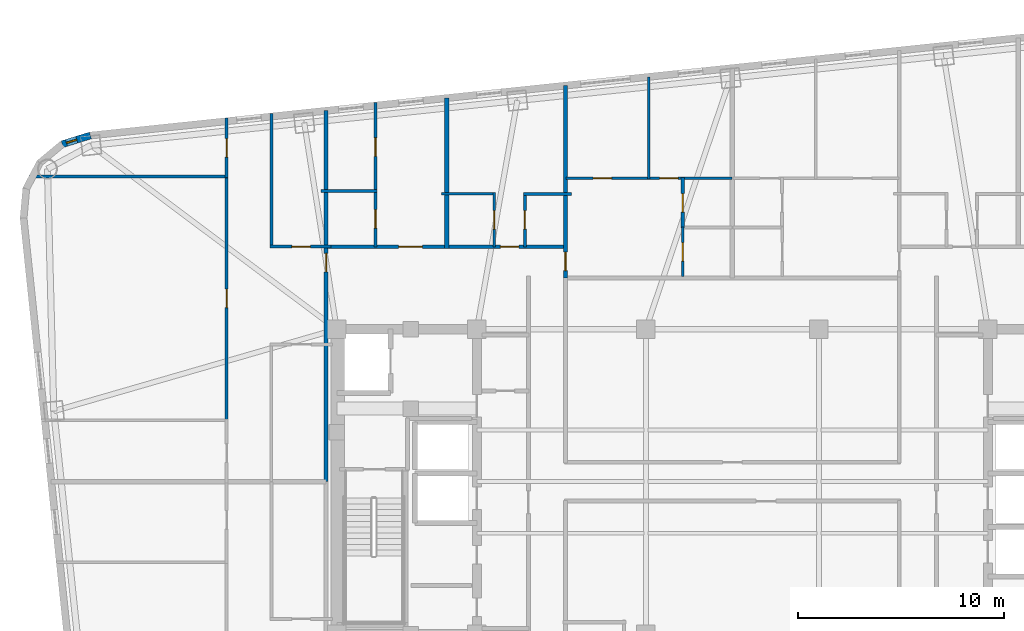
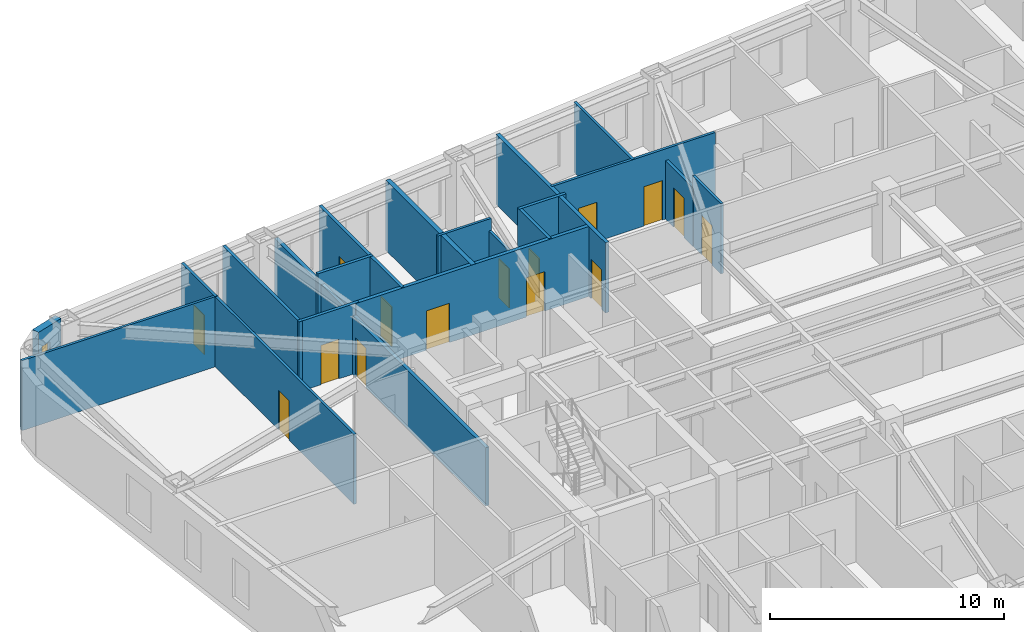
# One storey, part 8 of 12: 21 walls, 15 doors, 1 window, 16 openings.
"""IFC4 building model written with IfcOpenShell, lengths in metres."""

import ifcopenshell
import ifcopenshell.guid

model = None  # the IFC model being written
_history = None  # IfcOwnerHistory: only IFC2X3 demands one
_inside = {}  # id of a spatial element -> (the spatial element, [elements in it])
_under = {}  # id of a project, library or spatial element -> (it, [spatial elements below it])
_declared = {}  # id of a project -> (the project, [libraries it declares])
_typed = {}  # id of a type object -> (the type object, [elements of that type])
_made_of = {}  # id of a material, layer set ... -> (it, [elements and type objects made of it])


def new_model(schema):
    """Start an empty IFC model of exactly this schema.

    Asked for "IFC4X3", IfcOpenShell would pick the latest addendum, in which some entities
    have other attributes; the version numbers below select the first issue.
    IFC2X3 requires an IfcOwnerHistory on every rooted entity: one is made here for all.
    """
    global model, _history
    if schema == "IFC4X3":
        model = ifcopenshell.file(schema_version=(4, 3, 0, 0))
    else:
        model = ifcopenshell.file(schema=schema)
    _inside.clear()
    _under.clear()
    _declared.clear()
    _typed.clear()
    _made_of.clear()
    _history = None
    if model.schema == "IFC2X3":
        org = make("IfcOrganization", Name="unknown")
        user = make(
            "IfcPersonAndOrganization",
            ThePerson=make("IfcPerson", FamilyName="unknown"),
            TheOrganization=org,
        )
        app = make(
            "IfcApplication",
            ApplicationDeveloper=org,
            Version="unknown",
            ApplicationFullName="unknown",
            ApplicationIdentifier="unknown",
        )
        _history = make(
            "IfcOwnerHistory",
            OwningUser=user,
            OwningApplication=app,
            ChangeAction="ADDED",
            CreationDate=0,
        )
    return model


def make(cls, **values):
    """One entity of the class cls with the attributes given. An attribute that is None is left unset."""
    return model.create_entity(
        cls, **{name: value for name, value in values.items() if value is not None}
    )


def rooted(cls, **values):
    """An entity with a GlobalId (a new one), such as an element, a storey or a relation."""
    return make(cls, GlobalId=ifcopenshell.guid.new(), OwnerHistory=_history, **values)


def si_unit(unit_type, name, prefix=None):
    """IfcSIUnit, for example si_unit("LENGTHUNIT", "METRE", prefix="MILLI")."""
    return make("IfcSIUnit", UnitType=unit_type, Prefix=prefix, Name=name)


def assignment(units):
    """IfcUnitAssignment: the units of a project."""
    return None if units is None else make("IfcUnitAssignment", Units=units)


def point(xyz):
    """IfcCartesianPoint."""
    return None if xyz is None else make("IfcCartesianPoint", Coordinates=xyz)


def direction(xyz):
    """IfcDirection."""
    return None if xyz is None else make("IfcDirection", DirectionRatios=xyz)


def frame(location, z_axis=None, x_axis=None):
    """IfcAxis2Placement3D, a coordinate frame: its origin and axes. An axis left out is left unset."""
    return make(
        "IfcAxis2Placement3D",
        Location=point(location),
        Axis=direction(z_axis),
        RefDirection=direction(x_axis),
    )


def frame_2d(location, x_axis=None):
    """IfcAxis2Placement2D, a coordinate frame in the plane: its origin and x axis."""
    return make(
        "IfcAxis2Placement2D", Location=point(location), RefDirection=direction(x_axis)
    )


def origin():
    """The frame at (0, 0, 0) with its axes left unset."""
    return frame((0.0, 0.0, 0.0))


def place(relative_to, where):
    """IfcLocalPlacement: puts the frame where relative to a parent placement (None: the world)."""
    return make(
        "IfcLocalPlacement", PlacementRelTo=relative_to, RelativePlacement=where
    )


def context(
    kind, dimensions, precision=None, world=None, true_north=None, identifier=None
):
    """IfcGeometricRepresentationContext, for example the 3D "Model" context."""
    return make(
        "IfcGeometricRepresentationContext",
        ContextIdentifier=identifier,
        ContextType=kind,
        CoordinateSpaceDimension=dimensions,
        Precision=precision,
        WorldCoordinateSystem=world,
        TrueNorth=true_north,
    )


def subcontext(parent, identifier, kind, view, scale=None):
    """IfcGeometricRepresentationSubContext, for example "Body" below "Model"."""
    return make(
        "IfcGeometricRepresentationSubContext",
        ContextIdentifier=identifier,
        ContextType=kind,
        ParentContext=parent,
        TargetScale=scale,
        TargetView=view,
    )


def project(units=None, contexts=None):
    """IfcProject with its units and contexts."""
    return rooted(
        "IfcProject",
        Name="project",
        RepresentationContexts=contexts,
        UnitsInContext=assignment(units),
    )


def spatial(cls, under=None, at=None, **own):
    """A site, building, storey or space (cls), placed at a placement, below another one or the project."""
    s = rooted(cls, ObjectPlacement=at, **own)
    if under is not None:
        _under.setdefault(under.id(), (under, []))[1].append(s)
    return s


def profile(cls, at=None, kind="AREA", **sizes):
    """A parametric profile (cls). Its sizes go by their IFC names, for example OverallWidth=200.0."""
    return make(cls, ProfileType=kind, Position=at, **sizes)


def rectangle(**sizes):
    """IfcRectangleProfileDef."""
    return profile("IfcRectangleProfileDef", **sizes)


def extrude(swept, where, along, depth):
    """IfcExtrudedAreaSolid: the profile swept, set in the frame where, extruded along a direction by depth."""
    return make(
        "IfcExtrudedAreaSolid",
        SweptArea=swept,
        Position=where,
        ExtrudedDirection=direction(along),
        Depth=depth,
    )


def shape(context_of_items, identifier, shape_type, items):
    """IfcShapeRepresentation: the items that make up one representation, for example the "Body"."""
    return make(
        "IfcShapeRepresentation",
        ContextOfItems=context_of_items,
        RepresentationIdentifier=identifier,
        RepresentationType=shape_type,
        Items=items,
    )


def material(Name=None, Category=None):
    """IfcMaterial."""
    return make("IfcMaterial", Name=Name, Category=Category)


def layer(
    of_material, thickness, ventilated=None, Name=None, Category=None, Priority=None
):
    """IfcMaterialLayer: one layer of a wall or slab, of a material (None: an air gap)."""
    return make(
        "IfcMaterialLayer",
        Material=of_material,
        LayerThickness=thickness,
        IsVentilated=ventilated,
        Name=Name,
        Category=Category,
        Priority=Priority,
    )


def layer_set(layers, Name=None):
    """IfcMaterialLayerSet."""
    return make("IfcMaterialLayerSet", MaterialLayers=layers, LayerSetName=Name)


def made_of(thing, what):
    """Note that an element or type object is made of a material, layer set ...; save() writes the relation."""
    if what is not None:
        _made_of.setdefault(what.id(), (what, []))[1].append(thing)
    return thing


def type_object(cls, material=None, **own):
    """A type object (cls), such as IfcWallType, which elements share."""
    return made_of(rooted(cls, **own), material)


def element(
    cls,
    number,
    at=None,
    inside=None,
    cuts=None,
    type_object=None,
    material=None,
    context=None,
    identifier="Body",
    shape_type=None,
    held_by="IfcProductDefinitionShape",
    body=None,
    shapes=None,
    **own,
):
    """One element of the class cls, such as IfcWall. Its Tag is "e" and its number.

    at: its placement. inside: the storey or other place that contains it. cuts: it is an
    opening in that element (IfcRelVoidsElement). A single representation is given by context,
    identifier, shape_type and body (its items); several are given by shapes. held_by: the class
    of the entity that holds the representations. save() writes the other relations.
    """
    e = rooted(cls, Tag="e%d" % number, ObjectPlacement=at, **own)
    if body is not None:
        shapes = [shape(context, identifier, shape_type, body)]
    if shapes is not None:
        e.Representation = make(held_by, Representations=shapes)
    if inside is not None:
        _inside.setdefault(inside.id(), (inside, []))[1].append(e)
    if cuts is not None:
        rooted(
            "IfcRelVoidsElement", RelatingBuildingElement=cuts, RelatedOpeningElement=e
        )
    if type_object is not None:
        _typed.setdefault(type_object.id(), (type_object, []))[1].append(e)
    return made_of(e, material)


def fill(opening, filler):
    """IfcRelFillsElement: the door or window that sits in an opening."""
    return rooted(
        "IfcRelFillsElement",
        RelatingOpeningElement=opening,
        RelatedBuildingElement=filler,
    )


def aggregate(whole, parts):
    """IfcRelAggregates: a whole, such as a stair, and the parts it consists of."""
    return rooted("IfcRelAggregates", RelatingObject=whole, RelatedObjects=parts)


def save(model, path):
    """Write the relations noted so far, then the file.

    IfcRelAggregates (storeys below a building ...), IfcRelContainedInSpatialStructure (elements
    in a storey), IfcRelDefinesByType, IfcRelAssociatesMaterial and IfcRelDeclares: one each for
    every whole, place, type object, material and project.
    """
    for whole, parts in _under.values():
        aggregate(whole, parts)
    for where, things in _inside.values():
        rooted(
            "IfcRelContainedInSpatialStructure",
            RelatedElements=things,
            RelatingStructure=where,
        )
    for kind, things in _typed.values():
        rooted("IfcRelDefinesByType", RelatedObjects=things, RelatingType=kind)
    for what, things in _made_of.values():
        rooted("IfcRelAssociatesMaterial", RelatedObjects=things, RelatingMaterial=what)
    for by, libraries in _declared.values():
        rooted("IfcRelDeclares", RelatingContext=by, RelatedDefinitions=libraries)
    model.write(path)


model = new_model("IFC4")

# Units and contexts
model_context = context("Model", 3, precision=1e-05, world=origin(), true_north=direction((0.0, 1.0)))
body_context = subcontext(model_context, "Body", "Model", "MODEL_VIEW")
ifc_project = project(units=[si_unit("LENGTHUNIT", "METRE"), si_unit("AREAUNIT", "SQUARE_METRE"), si_unit("VOLUMEUNIT", "CUBIC_METRE"), si_unit("PLANEANGLEUNIT", "RADIAN"), si_unit("MASSUNIT", "GRAM", prefix="KILO")], contexts=[model_context])

# Site, building, storey
site_placement = place(None, origin())
site = spatial("IfcSite", under=ifc_project, at=site_placement, CompositionType="ELEMENT")
building_placement = place(site_placement, origin())
building = spatial("IfcBuilding", under=site, at=building_placement, Name="Voryun Gate Residences", CompositionType="ELEMENT")
storey_placement = place(building_placement, frame((0.0, 0.0, 152.10009765625)))
storey = spatial("IfcBuildingStorey", under=building, at=storey_placement, Name="L37", CompositionType="ELEMENT", Elevation=152.10009765625)

# Wall, openings, doors
ifc_material_1 = material(Name="Gypsum acoustic fireboard")
ifc_layer_1 = layer(ifc_material_1, 0.179931640625, Name="W_CORR_RATED_180")
ifc_layer_set_1 = layer_set([ifc_layer_1], Name="Gypsum acoustic fireboard")
wall_type_1 = type_object("IfcWallType", Name="W_CORR_RATED_180", PredefinedType="PARTITIONING", material=ifc_layer_set_1)
wall_1_placement = place(storey_placement, frame((-19.6650390625, 11.39990234375, 0.0), z_axis=(0.0, 0.0, 1.0), x_axis=(1.0, 0.0, 0.0)))
wall_1 = element("IfcWall", 1, at=wall_1_placement, inside=storey, type_object=wall_type_1, Name="Partition wall WP-L37-NCORR-W", PredefinedType="PARTITIONING", context=body_context, shape_type="SweptSolid", body=[
    extrude(rectangle(XDim=11.5849609375, YDim=0.179931640625, at=frame_2d((5.79248046875, 0.0))), origin(), (0.0, 0.0, 1.0), 3.64990234375),
])
opening_1_placement = place(wall_1_placement, frame((3.4677734375, 0.0, 0.0)))
opening_1 = element("IfcOpeningElement", 2, at=opening_1_placement, cuts=wall_1, Name="Opening D-UNIT-1", PredefinedType="OPENING", context=body_context, shape_type="SweptSolid", body=[
    extrude(rectangle(XDim=1.14990234375, YDim=2.050048828125, at=frame_2d((0.574951171875, 1.02490234375))), frame((0.0, 0.099853515625, 0.0), z_axis=(0.0, -1.0, 0.0), x_axis=(1.0, 0.0, 0.0)), (0.0, 0.0, 1.0), 0.199951171875),
])
opening_2_placement = place(wall_1_placement, frame((8.404296875, 0.0, 0.0)))
opening_2 = element("IfcOpeningElement", 3, at=opening_2_placement, cuts=wall_1, Name="Opening D-INT-2", PredefinedType="OPENING", context=body_context, shape_type="SweptSolid", body=[
    extrude(rectangle(XDim=0.89990234375, YDim=2.050048828125, at=frame_2d((0.449951171875, 1.02490234375))), frame((0.0, 0.099853515625, 0.0), z_axis=(0.0, -1.0, 0.0), x_axis=(1.0, 0.0, 0.0)), (0.0, 0.0, 1.0), 0.199951171875),
])
ifc_material_2 = material(Name="Architectural oak veneer")
door_type_1 = type_object("IfcDoorType", Name="DR_INT_BATH_900", OperationType="NOTDEFINED", PredefinedType="DOOR", material=ifc_material_2)
door_1_placement = place(opening_2_placement, origin())
door_1 = element("IfcDoor", 4, at=door_1_placement, inside=storey, type_object=door_type_1, Name="Door DR-L37-NENT-2", OperationType="SINGLE_SWING_RIGHT", OverallHeight=2.050048828125, OverallWidth=0.89990234375, PredefinedType="DOOR", context=body_context, shape_type="SweptSolid", body=[
    extrude(rectangle(XDim=0.89990234375, YDim=2.050048828125, at=frame_2d((0.449951171875, 1.02490234375))), frame((0.0, 0.02490234375, 0.0), z_axis=(0.0, -1.0, 0.0), x_axis=(1.0, 0.0, 0.0)), (0.0, 0.0, 1.0), 0.050048828125),
])
fill(opening_2, door_1)
ifc_material_3 = material(Name="Armoured timber-clad fire door", Category="wood")
door_type_2 = type_object("IfcDoorType", Name="DR_UNIT_ENTRY_1150", OperationType="NOTDEFINED", PredefinedType="DOOR", material=ifc_material_3)
door_2_placement = place(opening_1_placement, origin())
door_2 = element("IfcDoor", 5, at=door_2_placement, inside=storey, type_object=door_type_2, Name="Door DR-L37-NENT-1", OperationType="SINGLE_SWING_LEFT", OverallHeight=2.050048828125, OverallWidth=1.14990234375, PredefinedType="DOOR", context=body_context, shape_type="SweptSolid", body=[
    extrude(rectangle(XDim=1.14990234375, YDim=2.050048828125, at=frame_2d((0.574951171875, 1.02490234375))), frame((0.0, 0.02490234375, 0.0), z_axis=(0.0, -1.0, 0.0), x_axis=(1.0, 0.0, 0.0)), (0.0, 0.0, 1.0), 0.050048828125),
])
fill(opening_1, door_2)

# Wall, opening, door
wall_2_placement = place(storey_placement, frame((-8.10009765625, 9.889892578125, 0.0), z_axis=(0.0, 0.0, 1.0), x_axis=(0.0, 1.0, 0.0)))
wall_2 = element("IfcWall", 6, at=wall_2_placement, inside=storey, type_object=wall_type_1, Name="Partition wall WP-L37-NZV-1", PredefinedType="PARTITIONING", context=body_context, shape_type="SweptSolid", body=[
    extrude(rectangle(XDim=9.33642578125, YDim=0.179931640625, at=frame_2d((4.668212890625, 0.0))), origin(), (0.0, 0.0, 1.0), 3.64990234375),
])
opening_3_placement = place(wall_2_placement, frame((0.35009765625, 0.0, 0.0)))
opening_3 = element("IfcOpeningElement", 7, at=opening_3_placement, cuts=wall_2, Name="Opening D-INT-2", PredefinedType="OPENING", context=body_context, shape_type="SweptSolid", body=[
    extrude(rectangle(XDim=0.89990234375, YDim=2.050048828125, at=frame_2d((0.449951171875, 1.02490234375))), frame((0.0, 0.099853515625, 0.0), z_axis=(0.0, -1.0, 0.0), x_axis=(1.0, 0.0, 0.0)), (0.0, 0.0, 1.0), 0.199951171875),
])
door_3_placement = place(opening_3_placement, origin())
door_3 = element("IfcDoor", 8, at=door_3_placement, inside=storey, type_object=door_type_1, Name="Door DR-L37-NZENT-1", OperationType="SINGLE_SWING_LEFT", OverallHeight=2.050048828125, OverallWidth=0.89990234375, PredefinedType="DOOR", context=body_context, shape_type="SweptSolid", body=[
    extrude(rectangle(XDim=0.89990234375, YDim=2.050048828125, at=frame_2d((0.449951171875, 1.02490234375))), frame((0.0, 0.02490234375, 0.0), z_axis=(0.0, -1.0, 0.0), x_axis=(1.0, 0.0, 0.0)), (0.0, 0.0, 1.0), 0.050048828125),
])
fill(opening_3, door_3)

wall_3_placement = place(storey_placement, frame((-19.719970703125, 0.0, 0.0), z_axis=(0.0, 0.0, 1.0), x_axis=(0.0, 1.0, 0.0)))
wall_3 = element("IfcWall", 9, at=wall_3_placement, inside=storey, type_object=wall_type_1, Name="Partition wall WP-L37-WCOR2", PredefinedType="PARTITIONING", context=body_context, shape_type="SweptSolid", body=[
    extrude(rectangle(XDim=18.005126953125, YDim=0.179931640625, at=frame_2d((9.00244140625, 0.0))), origin(), (0.0, 0.0, 1.0), 3.039794921875),
])
opening_4_placement = place(wall_3_placement, frame((10.18017578125, 0.0, 0.0)))
opening_4 = element("IfcOpeningElement", 10, at=opening_4_placement, cuts=wall_3, Name="Opening D-INT-2", PredefinedType="OPENING", context=body_context, shape_type="SweptSolid", body=[
    extrude(rectangle(XDim=0.89990234375, YDim=2.050048828125, at=frame_2d((0.449951171875, 1.02490234375))), frame((0.0, 0.099853515625, 0.0), z_axis=(0.0, -1.0, 0.0), x_axis=(1.0, 0.0, 0.0)), (0.0, 0.0, 1.0), 0.199951171875),
])
door_4_placement = place(opening_4_placement, origin())
door_4 = element("IfcDoor", 11, at=door_4_placement, inside=storey, type_object=door_type_1, Name="Door DR-L37-WE2", OperationType="SINGLE_SWING_RIGHT", OverallHeight=2.050048828125, OverallWidth=0.89990234375, PredefinedType="DOOR", context=body_context, shape_type="SweptSolid", body=[
    extrude(rectangle(XDim=0.89990234375, YDim=2.050048828125, at=frame_2d((0.449951171875, 1.02490234375))), frame((0.0, 0.02490234375, 0.0), z_axis=(0.0, -1.0, 0.0), x_axis=(1.0, 0.0, 0.0)), (0.0, 0.0, 1.0), 0.050048828125),
])
fill(opening_4, door_4)

# Wall, opening, window
ifc_material_4 = material(Name="Charcoal terracotta masonry", Category="masonry")
ifc_layer_2 = layer(ifc_material_4, 0.340087890625, Name="W_EXT_TERRACOTTA_340")
ifc_layer_set_2 = layer_set([ifc_layer_2], Name="Charcoal terracotta masonry")
wall_type_2 = type_object("IfcWallType", Name="W_EXT_TERRACOTTA_340", PredefinedType="ELEMENTEDWALL", material=ifc_layer_set_2)
wall_4_placement = place(storey_placement, frame((-32.523193359375, 16.37841796875, 0.0), z_axis=(0.0, 0.0, 1.0), x_axis=(0.9549942197, 0.296624409546, 0.0)))
wall_4 = element("IfcWall", 12, at=wall_4_placement, inside=storey, type_object=wall_type_2, Name="Exterior wall WEXT-L37-10", PredefinedType="ELEMENTEDWALL", context=body_context, shape_type="SweptSolid", body=[
    extrude(rectangle(XDim=1.43212890625, YDim=0.340087890625, at=frame_2d((0.716064453125, 0.0))), origin(), (0.0, 0.0, 1.0), 3.64990234375),
])
opening_5_placement = place(wall_4_placement, frame((0.216064453125, 0.0, 0.75)))
opening_5 = element("IfcOpeningElement", 13, at=opening_5_placement, cuts=wall_4, Name="Opening WN10", PredefinedType="OPENING", context=body_context, shape_type="SweptSolid", body=[
    extrude(rectangle(XDim=0.52001953125, YDim=2.050048828125, at=frame_2d((0.260009765625, 1.02490234375))), frame((0.0, 0.179931640625, 0.0), z_axis=(0.0, -1.0, 0.0), x_axis=(1.0, 0.0, 0.0)), (0.0, 0.0, 1.0), 0.360107421875),
])
ifc_material_5 = material(Name="Laminated low-E glass", Category="glass")
window_type = type_object("IfcWindowType", Name="WN_PAGODA_LANCET_520", PartitioningType="SINGLE_PANEL", PredefinedType="WINDOW", material=ifc_material_5)
window_placement = place(opening_5_placement, origin())
window = element("IfcWindow", 14, at=window_placement, inside=storey, type_object=window_type, Name="Window WN-L37-DWFIX-24", OverallHeight=2.050048828125, OverallWidth=0.52001953125, PartitioningType="SINGLE_PANEL", PredefinedType="WINDOW", context=body_context, shape_type="SweptSolid", body=[
    extrude(rectangle(XDim=0.52001953125, YDim=2.050048828125, at=frame_2d((0.260009765625, 1.02490234375))), frame((0.0, 0.030029296875, 0.0), z_axis=(0.0, -1.0, 0.0), x_axis=(1.0, 0.0, 0.0)), (0.0, 0.0, 1.0), 0.06005859375),
])
fill(opening_5, window)

# Wall
ifc_material_6 = material(Name="Concrete C40/50", Category="concrete")
ifc_layer_3 = layer(ifc_material_6, 0.219970703125, Name="W_PARTY_ACOUSTIC_220")
ifc_layer_set_3 = layer_set([ifc_layer_3], Name="Concrete C40/50")
wall_type_3 = type_object("IfcWallType", Name="W_PARTY_ACOUSTIC_220", PredefinedType="PARTITIONING", material=ifc_layer_set_3)
wall_5_placement = place(storey_placement, frame((-13.864990234375, 11.320068359375, 0.0), z_axis=(0.0, 0.0, 1.0), x_axis=(0.0, 1.0, 0.0)))
element("IfcWall", 15, at=wall_5_placement, inside=storey, type_object=wall_type_3, Name="Partition wall WP-L37-NPTY-1", PredefinedType="PARTITIONING", context=body_context, shape_type="SweptSolid", body=[
    extrude(rectangle(XDim=7.300537109375, YDim=0.219970703125, at=frame_2d((3.650390625, 0.0))), origin(), (0.0, 0.0, 1.0), 3.64990234375),
])

# Wall, opening, door
ifc_material_7 = material(Name="Gypsum acoustic partition")
ifc_layer_4 = layer(ifc_material_7, 0.125, Name="W_UNIT_PART_125")
ifc_layer_set_4 = layer_set([ifc_layer_4], Name="Gypsum acoustic partition")
wall_type_4 = type_object("IfcWallType", Name="W_UNIT_PART_125", PredefinedType="PARTITIONING", material=ifc_layer_set_4)
wall_6_placement = place(storey_placement, frame((-11.554931640625, 11.3798828125, 0.0), z_axis=(0.0, 0.0, 1.0), x_axis=(0.0, 1.0, 0.0)))
wall_6 = element("IfcWall", 16, at=wall_6_placement, inside=storey, type_object=wall_type_4, Name="Partition wall WP-L37-N2-CVK", PredefinedType="PARTITIONING", context=body_context, shape_type="SweptSolid", body=[
    extrude(rectangle(XDim=2.650146484375, YDim=0.125, at=frame_2d((1.3251953125, 0.0))), origin(), (0.0, 0.0, 1.0), 3.039794921875),
])
opening_6_placement = place(wall_6_placement, frame((0.875, 0.0, 0.0)))
opening_6 = element("IfcOpeningElement", 17, at=opening_6_placement, cuts=wall_6, Name="Opening D-INT-2", PredefinedType="OPENING", context=body_context, shape_type="SweptSolid", body=[
    extrude(rectangle(XDim=0.89990234375, YDim=2.050048828125, at=frame_2d((0.449951171875, 1.02490234375))), frame((0.0, 0.072509765625, 0.0), z_axis=(0.0, -1.0, 0.0), x_axis=(1.0, 0.0, 0.0)), (0.0, 0.0, 1.0), 0.14501953125),
])
door_5_placement = place(opening_6_placement, origin())
door_5 = element("IfcDoor", 18, at=door_5_placement, inside=storey, type_object=door_type_1, Name="Door DR-L37-N2-DK", OperationType="SINGLE_SWING_LEFT", OverallHeight=2.050048828125, OverallWidth=0.89990234375, PredefinedType="DOOR", context=body_context, shape_type="SweptSolid", body=[
    extrude(rectangle(XDim=0.89990234375, YDim=2.050048828125, at=frame_2d((0.449951171875, 1.02490234375))), frame((0.0, 0.02490234375, 0.0), z_axis=(0.0, -1.0, 0.0), x_axis=(1.0, 0.0, 0.0)), (0.0, 0.0, 1.0), 0.050048828125),
])
fill(opening_6, door_5)

# Wall
wall_7_placement = place(storey_placement, frame((-14.125, 13.969970703125, 0.0), z_axis=(0.0, 0.0, 1.0), x_axis=(1.0, 0.0, 0.0)))
element("IfcWall", 19, at=wall_7_placement, inside=storey, type_object=wall_type_4, Name="Partition wall WP-L37-N2-CHK", PredefinedType="PARTITIONING", context=body_context, shape_type="SweptSolid", body=[
    extrude(rectangle(XDim=2.6298828125, YDim=0.125, at=frame_2d((1.31494140625, 0.0))), origin(), (0.0, 0.0, 1.0), 3.64990234375),
])

# Wall, openings, doors
wall_8_placement = place(storey_placement, frame((-8.080078125, 14.72998046875, 0.0), z_axis=(0.0, 0.0, 1.0), x_axis=(1.0, 0.0, 0.0)))
wall_8 = element("IfcWall", 20, at=wall_8_placement, inside=storey, type_object=wall_type_4, Name="Partition wall WP-L37-NC1-HZ", PredefinedType="PARTITIONING", context=body_context, shape_type="SweptSolid", body=[
    extrude(rectangle(XDim=8.06005859375, YDim=0.125, at=frame_2d((4.030029296875, 0.0))), origin(), (0.0, 0.0, 1.0), 3.64990234375),
])
opening_7_placement = place(wall_8_placement, frame((1.3232421875, 0.0, 0.0)))
opening_7 = element("IfcOpeningElement", 21, at=opening_7_placement, cuts=wall_8, Name="Opening D-INT-2", PredefinedType="OPENING", context=body_context, shape_type="SweptSolid", body=[
    extrude(rectangle(XDim=0.89990234375, YDim=2.050048828125, at=frame_2d((0.449951171875, 1.02490234375))), frame((0.0, 0.072509765625, 0.0), z_axis=(0.0, -1.0, 0.0), x_axis=(1.0, 0.0, 0.0)), (0.0, 0.0, 1.0), 0.14501953125),
])
opening_8_placement = place(wall_8_placement, frame((4.547119140625, 0.0, 0.0)))
opening_8 = element("IfcOpeningElement", 22, at=opening_8_placement, cuts=wall_8, Name="Opening D-INT-2", PredefinedType="OPENING", context=body_context, shape_type="SweptSolid", body=[
    extrude(rectangle(XDim=0.89990234375, YDim=2.050048828125, at=frame_2d((0.449951171875, 1.02490234375))), frame((0.0, 0.072509765625, 0.0), z_axis=(0.0, -1.0, 0.0), x_axis=(1.0, 0.0, 0.0)), (0.0, 0.0, 1.0), 0.14501953125),
])
door_6_placement = place(opening_7_placement, origin())
door_6 = element("IfcDoor", 23, at=door_6_placement, inside=storey, type_object=door_type_1, Name="Door DR-L37-NC1-DMB", OperationType="SINGLE_SWING_LEFT", OverallHeight=2.050048828125, OverallWidth=0.89990234375, PredefinedType="DOOR", context=body_context, shape_type="SweptSolid", body=[
    extrude(rectangle(XDim=0.89990234375, YDim=2.050048828125, at=frame_2d((0.449951171875, 1.02490234375))), frame((0.0, 0.02490234375, 0.0), z_axis=(0.0, -1.0, 0.0), x_axis=(1.0, 0.0, 0.0)), (0.0, 0.0, 1.0), 0.050048828125),
])
fill(opening_7, door_6)
door_7_placement = place(opening_8_placement, origin())
door_7 = element("IfcDoor", 24, at=door_7_placement, inside=storey, type_object=door_type_1, Name="Door DR-L37-NC1-DBD2", OperationType="SINGLE_SWING_RIGHT", OverallHeight=2.050048828125, OverallWidth=0.89990234375, PredefinedType="DOOR", context=body_context, shape_type="SweptSolid", body=[
    extrude(rectangle(XDim=0.89990234375, YDim=2.050048828125, at=frame_2d((0.449951171875, 1.02490234375))), frame((0.0, 0.02490234375, 0.0), z_axis=(0.0, -1.0, 0.0), x_axis=(1.0, 0.0, 0.0)), (0.0, 0.0, 1.0), 0.050048828125),
])
fill(opening_8, door_7)

# Wall, opening, door
wall_9_placement = place(storey_placement, frame((-2.409912109375, 9.949951171875, 0.0), z_axis=(0.0, 0.0, 1.0), x_axis=(0.0, 1.0, 0.0)))
wall_9 = element("IfcWall", 25, at=wall_9_placement, inside=storey, type_object=wall_type_4, Name="Partition wall WP-L37-NC1-VK1", PredefinedType="PARTITIONING", context=body_context, shape_type="SweptSolid", body=[
    extrude(rectangle(XDim=2.41015625, YDim=0.125, at=frame_2d((1.205078125, 0.0))), origin(), (0.0, 0.0, 1.0), 3.64990234375),
])
opening_9_placement = place(wall_9_placement, frame((0.7548828125, 0.0, 0.0)))
opening_9 = element("IfcOpeningElement", 26, at=opening_9_placement, cuts=wall_9, Name="Opening D-INT-2", PredefinedType="OPENING", context=body_context, shape_type="SweptSolid", body=[
    extrude(rectangle(XDim=0.89990234375, YDim=2.050048828125, at=frame_2d((0.449951171875, 1.02490234375))), frame((0.0, 0.072509765625, 0.0), z_axis=(0.0, -1.0, 0.0), x_axis=(1.0, 0.0, 0.0)), (0.0, 0.0, 1.0), 0.14501953125),
])
door_8_placement = place(opening_9_placement, origin())
door_8 = element("IfcDoor", 27, at=door_8_placement, inside=storey, type_object=door_type_1, Name="Door DR-L37-NC1-DK", OperationType="SINGLE_SWING_LEFT", OverallHeight=2.050048828125, OverallWidth=0.89990234375, PredefinedType="DOOR", context=body_context, shape_type="SweptSolid", body=[
    extrude(rectangle(XDim=0.89990234375, YDim=2.050048828125, at=frame_2d((0.449951171875, 1.02490234375))), frame((0.0, 0.02490234375, 0.0), z_axis=(0.0, -1.0, 0.0), x_axis=(1.0, 0.0, 0.0)), (0.0, 0.0, 1.0), 0.050048828125),
])
fill(opening_9, door_8)

# Walls
wall_10_placement = place(storey_placement, frame((-4.050048828125, 14.68994140625, 0.0), z_axis=(0.0, 0.0, 1.0), x_axis=(0.0, 1.0, 0.0)))
element("IfcWall", 28, at=wall_10_placement, inside=storey, type_object=wall_type_4, Name="Partition wall WP-L37-NC1-VBD", PredefinedType="PARTITIONING", context=body_context, shape_type="SweptSolid", body=[
    extrude(rectangle(XDim=4.962158203125, YDim=0.125, at=frame_2d((2.48095703125, 0.0))), origin(), (0.0, 0.0, 1.0), 3.64990234375),
])
wall_11_placement = place(storey_placement, frame((-34.12890625, 14.81201171875, 0.0), z_axis=(0.0, 0.0, 1.0), x_axis=(1.0, 0.0, 0.0)))
element("IfcWall", 29, at=wall_11_placement, inside=storey, type_object=wall_type_4, Name="Partition wall WP-L37-W2-OH2", PredefinedType="PARTITIONING", context=body_context, shape_type="SweptSolid", body=[
    extrude(rectangle(XDim=9.658935546875, YDim=0.125, at=frame_2d((4.82958984375, 0.0))), origin(), (0.0, 0.0, 1.0), 3.64990234375),
])

# Wall, opening, door
wall_12_placement = place(storey_placement, frame((-24.550048828125, 2.925048828125, 0.0), z_axis=(0.0, 0.0, 1.0), x_axis=(0.0, 1.0, 0.0)))
wall_12 = element("IfcWall", 30, at=wall_12_placement, inside=storey, type_object=wall_type_4, Name="Partition wall WP-L37-W2-OVX2", PredefinedType="PARTITIONING", context=body_context, shape_type="SweptSolid", body=[
    extrude(rectangle(XDim=11.93701171875, YDim=0.125, at=frame_2d((5.968505859375, 0.0))), origin(), (0.0, 0.0, 1.0), 3.64990234375),
])
opening_10_placement = place(wall_12_placement, frame((5.5185546875, 0.0, 0.0)))
opening_10 = element("IfcOpeningElement", 31, at=opening_10_placement, cuts=wall_12, Name="Opening D-INT-2", PredefinedType="OPENING", context=body_context, shape_type="SweptSolid", body=[
    extrude(rectangle(XDim=0.89990234375, YDim=2.050048828125, at=frame_2d((0.449951171875, 1.02490234375))), frame((0.0, 0.072509765625, 0.0), z_axis=(0.0, -1.0, 0.0), x_axis=(1.0, 0.0, 0.0)), (0.0, 0.0, 1.0), 0.14501953125),
])
door_9_placement = place(opening_10_placement, origin())
door_9 = element("IfcDoor", 32, at=door_9_placement, inside=storey, type_object=door_type_1, Name="Door DR-L37-W2-DSTD", OperationType="SINGLE_SWING_RIGHT", OverallHeight=2.050048828125, OverallWidth=0.89990234375, PredefinedType="DOOR", context=body_context, shape_type="SweptSolid", body=[
    extrude(rectangle(XDim=0.89990234375, YDim=2.050048828125, at=frame_2d((0.449951171875, 1.02490234375))), frame((0.0, 0.02490234375, 0.0), z_axis=(0.0, -1.0, 0.0), x_axis=(1.0, 0.0, 0.0)), (0.0, 0.0, 1.0), 0.050048828125),
])
fill(opening_10, door_9)

wall_13_placement = place(storey_placement, frame((-24.550048828125, 14.761962890625, 0.0), z_axis=(0.0, 0.0, 1.0), x_axis=(0.0, 1.0, 0.0)))
wall_13 = element("IfcWall", 33, at=wall_13_placement, inside=storey, type_object=wall_type_4, Name="Partition wall WP-L37-W2-OVX3", PredefinedType="PARTITIONING", context=body_context, shape_type="SweptSolid", body=[
    extrude(rectangle(XDim=2.88623046875, YDim=0.125, at=frame_2d((1.443115234375, 0.0))), origin(), (0.0, 0.0, 1.0), 3.64990234375),
])
opening_11_placement = place(wall_13_placement, frame((0.9931640625, 0.0, 0.0)))
opening_11 = element("IfcOpeningElement", 34, at=opening_11_placement, cuts=wall_13, Name="Opening D-INT-2", PredefinedType="OPENING", context=body_context, shape_type="SweptSolid", body=[
    extrude(rectangle(XDim=0.89990234375, YDim=2.050048828125, at=frame_2d((0.449951171875, 1.02490234375))), frame((0.0, 0.072509765625, 0.0), z_axis=(0.0, -1.0, 0.0), x_axis=(1.0, 0.0, 0.0)), (0.0, 0.0, 1.0), 0.14501953125),
])
door_10_placement = place(opening_11_placement, origin())
door_10 = element("IfcDoor", 35, at=door_10_placement, inside=storey, type_object=door_type_1, Name="Door DR-L37-W2-DMB", OperationType="SINGLE_SWING_LEFT", OverallHeight=2.050048828125, OverallWidth=0.89990234375, PredefinedType="DOOR", context=body_context, shape_type="SweptSolid", body=[
    extrude(rectangle(XDim=0.89990234375, YDim=2.050048828125, at=frame_2d((0.449951171875, 1.02490234375))), frame((0.0, 0.02490234375, 0.0), z_axis=(0.0, -1.0, 0.0), x_axis=(1.0, 0.0, 0.0)), (0.0, 0.0, 1.0), 0.050048828125),
])
fill(opening_11, door_10)

# Wall
ifc_material_8 = material(Name="Gypsum moisture-resistant partition")
ifc_layer_5 = layer(ifc_material_8, 0.14990234375, Name="W_WET_PLUMB_150")
ifc_layer_set_5 = layer_set([ifc_layer_5], Name="Gypsum moisture-resistant partition")
wall_type_5 = type_object("IfcWallType", Name="W_WET_PLUMB_150", PredefinedType="PLUMBINGWALL", material=ifc_layer_set_5)
wall_14_placement = place(storey_placement, frame((-19.969970703125, 14.10009765625, 0.0), z_axis=(0.0, 0.0, 1.0), x_axis=(1.0, 0.0, 0.0)))
element("IfcWall", 36, at=wall_14_placement, inside=storey, type_object=wall_type_5, Name="Partition wall WP-L37-N1-SKB", PredefinedType="PLUMBINGWALL", context=body_context, shape_type="SweptSolid", body=[
    extrude(rectangle(XDim=2.72998046875, YDim=0.14990234375, at=frame_2d((1.364990234375, 0.0))), origin(), (0.0, 0.0, 1.0), 3.64990234375),
])

# Wall, opening, door
wall_15_placement = place(storey_placement, frame((-17.320068359375, 11.3798828125, 0.0), z_axis=(0.0, 0.0, 1.0), x_axis=(0.0, 1.0, 0.0)))
wall_15 = element("IfcWall", 37, at=wall_15_placement, inside=storey, type_object=wall_type_5, Name="Partition wall WP-L37-N1-SVT1", PredefinedType="PLUMBINGWALL", context=body_context, shape_type="SweptSolid", body=[
    extrude(rectangle(XDim=2.760009765625, YDim=0.14990234375, at=frame_2d((1.3798828125, 0.0))), origin(), (0.0, 0.0, 1.0), 3.64990234375),
])
opening_12_placement = place(wall_15_placement, frame((0.929931640625, 0.0, 0.0)))
opening_12 = element("IfcOpeningElement", 38, at=opening_12_placement, cuts=wall_15, Name="Opening D-INT-2", PredefinedType="OPENING", context=body_context, shape_type="SweptSolid", body=[
    extrude(rectangle(XDim=0.89990234375, YDim=2.050048828125, at=frame_2d((0.449951171875, 1.02490234375))), frame((0.0, 0.0849609375, 0.0), z_axis=(0.0, -1.0, 0.0), x_axis=(1.0, 0.0, 0.0)), (0.0, 0.0, 1.0), 0.169921875),
])
door_11_placement = place(opening_12_placement, origin())
door_11 = element("IfcDoor", 39, at=door_11_placement, inside=storey, type_object=door_type_1, Name="Door DR-L37-N1-DB", OperationType="SINGLE_SWING_LEFT", OverallHeight=2.050048828125, OverallWidth=0.89990234375, PredefinedType="DOOR", context=body_context, shape_type="SweptSolid", body=[
    extrude(rectangle(XDim=0.89990234375, YDim=2.050048828125, at=frame_2d((0.449951171875, 1.02490234375))), frame((0.0, 0.02490234375, 0.0), z_axis=(0.0, -1.0, 0.0), x_axis=(1.0, 0.0, 0.0)), (0.0, 0.0, 1.0), 0.050048828125),
])
fill(opening_12, door_11)

wall_16_placement = place(storey_placement, frame((-17.320068359375, 14.06005859375, 0.0), z_axis=(0.0, 0.0, 1.0), x_axis=(0.0, 1.0, 0.0)))
wall_16 = element("IfcWall", 40, at=wall_16_placement, inside=storey, type_object=wall_type_5, Name="Partition wall WP-L37-N1-SVT2", PredefinedType="PLUMBINGWALL", context=body_context, shape_type="SweptSolid", body=[
    extrude(rectangle(XDim=4.34814453125, YDim=0.14990234375, at=frame_2d((2.174072265625, 0.0))), origin(), (0.0, 0.0, 1.0), 3.64990234375),
])
opening_13_placement = place(wall_16_placement, frame((1.72412109375, 0.0, 0.0)))
opening_13 = element("IfcOpeningElement", 41, at=opening_13_placement, cuts=wall_16, Name="Opening D-INT-2", PredefinedType="OPENING", context=body_context, shape_type="SweptSolid", body=[
    extrude(rectangle(XDim=0.89990234375, YDim=2.050048828125, at=frame_2d((0.449951171875, 1.02490234375))), frame((0.0, 0.0849609375, 0.0), z_axis=(0.0, -1.0, 0.0), x_axis=(1.0, 0.0, 0.0)), (0.0, 0.0, 1.0), 0.169921875),
])
door_12_placement = place(opening_13_placement, origin())
door_12 = element("IfcDoor", 42, at=door_12_placement, inside=storey, type_object=door_type_1, Name="Door DR-L37-N1-DK", OperationType="SINGLE_SWING_RIGHT", OverallHeight=2.050048828125, OverallWidth=0.89990234375, PredefinedType="DOOR", context=body_context, shape_type="SweptSolid", body=[
    extrude(rectangle(XDim=0.89990234375, YDim=2.050048828125, at=frame_2d((0.449951171875, 1.02490234375))), frame((0.0, 0.02490234375, 0.0), z_axis=(0.0, -1.0, 0.0), x_axis=(1.0, 0.0, 0.0)), (0.0, 0.0, 1.0), 0.050048828125),
])
fill(opening_13, door_12)

wall_17_placement = place(storey_placement, frame((-10.06591796875, 11.3798828125, 0.0), z_axis=(0.0, 0.0, 1.0), x_axis=(0.0, 1.0, 0.0)))
wall_17 = element("IfcWall", 43, at=wall_17_placement, inside=storey, type_object=wall_type_5, Name="Partition wall WP-L37-N2-CVB", PredefinedType="PLUMBINGWALL", context=body_context, shape_type="SweptSolid", body=[
    extrude(rectangle(XDim=2.650146484375, YDim=0.14990234375, at=frame_2d((1.3251953125, 0.0))), origin(), (0.0, 0.0, 1.0), 3.64990234375),
])
opening_14_placement = place(wall_17_placement, frame((0.875, 0.0, 0.0)))
opening_14 = element("IfcOpeningElement", 44, at=opening_14_placement, cuts=wall_17, Name="Opening D-INT-2", PredefinedType="OPENING", context=body_context, shape_type="SweptSolid", body=[
    extrude(rectangle(XDim=0.89990234375, YDim=2.050048828125, at=frame_2d((0.449951171875, 1.02490234375))), frame((0.0, 0.0849609375, 0.0), z_axis=(0.0, -1.0, 0.0), x_axis=(1.0, 0.0, 0.0)), (0.0, 0.0, 1.0), 0.169921875),
])
door_13_placement = place(opening_14_placement, origin())
door_13 = element("IfcDoor", 45, at=door_13_placement, inside=storey, type_object=door_type_1, Name="Door DR-L37-N2-DB", OperationType="SINGLE_SWING_RIGHT", OverallHeight=2.050048828125, OverallWidth=0.89990234375, PredefinedType="DOOR", context=body_context, shape_type="SweptSolid", body=[
    extrude(rectangle(XDim=0.89990234375, YDim=2.050048828125, at=frame_2d((0.449951171875, 1.02490234375))), frame((0.0, 0.02490234375, 0.0), z_axis=(0.0, -1.0, 0.0), x_axis=(1.0, 0.0, 0.0)), (0.0, 0.0, 1.0), 0.050048828125),
])
fill(opening_14, door_13)

# Wall
wall_18_placement = place(storey_placement, frame((-10.1259765625, 13.969970703125, 0.0), z_axis=(0.0, 0.0, 1.0), x_axis=(1.0, 0.0, 0.0)))
element("IfcWall", 46, at=wall_18_placement, inside=storey, type_object=wall_type_5, Name="Partition wall WP-L37-N2-CHB", PredefinedType="PLUMBINGWALL", context=body_context, shape_type="SweptSolid", body=[
    extrude(rectangle(XDim=2.305908203125, YDim=0.14990234375, at=frame_2d((1.15283203125, 0.0))), origin(), (0.0, 0.0, 1.0), 3.64990234375),
])

# Wall, opening, door
wall_19_placement = place(storey_placement, frame((-2.409912109375, 12.300048828125, 0.0), z_axis=(0.0, 0.0, 1.0), x_axis=(0.0, 1.0, 0.0)))
wall_19 = element("IfcWall", 47, at=wall_19_placement, inside=storey, type_object=wall_type_5, Name="Partition wall WP-L37-NC1-VK2", PredefinedType="PLUMBINGWALL", context=body_context, shape_type="SweptSolid", body=[
    extrude(rectangle(XDim=2.469970703125, YDim=0.14990234375, at=frame_2d((1.23486328125, 0.0))), origin(), (0.0, 0.0, 1.0), 3.039794921875),
])
opening_15_placement = place(wall_19_placement, frame((0.784912109375, 0.0, 0.0)))
opening_15 = element("IfcOpeningElement", 48, at=opening_15_placement, cuts=wall_19, Name="Opening D-INT-2", PredefinedType="OPENING", context=body_context, shape_type="SweptSolid", body=[
    extrude(rectangle(XDim=0.89990234375, YDim=2.050048828125, at=frame_2d((0.449951171875, 1.02490234375))), frame((0.0, 0.0849609375, 0.0), z_axis=(0.0, -1.0, 0.0), x_axis=(1.0, 0.0, 0.0)), (0.0, 0.0, 1.0), 0.169921875),
])
door_14_placement = place(opening_15_placement, origin())
door_14 = element("IfcDoor", 49, at=door_14_placement, inside=storey, type_object=door_type_1, Name="Door DR-L37-NC1-DB", OperationType="SINGLE_SWING_RIGHT", OverallHeight=2.050048828125, OverallWidth=0.89990234375, PredefinedType="DOOR", context=body_context, shape_type="SweptSolid", body=[
    extrude(rectangle(XDim=0.89990234375, YDim=2.050048828125, at=frame_2d((0.449951171875, 1.02490234375))), frame((0.0, 0.02490234375, 0.0), z_axis=(0.0, -1.0, 0.0), x_axis=(1.0, 0.0, 0.0)), (0.0, 0.0, 1.0), 0.050048828125),
])
fill(opening_15, door_14)

wall_20_placement = place(storey_placement, frame((-22.449951171875, 11.412109375, 0.0), z_axis=(0.0, 0.0, 1.0), x_axis=(1.0, 0.0, 0.0)))
wall_20 = element("IfcWall", 50, at=wall_20_placement, inside=storey, type_object=wall_type_5, Name="Partition wall WP-L37-W2-IBB", PredefinedType="PLUMBINGWALL", context=body_context, shape_type="SweptSolid", body=[
    extrude(rectangle(XDim=2.96484375, YDim=0.14990234375, at=frame_2d((1.482421875, 0.0))), origin(), (0.0, 0.0, 1.0), 3.64990234375),
])
opening_16_placement = place(wall_20_placement, frame((1.074951171875, 0.0, 0.0)))
opening_16 = element("IfcOpeningElement", 51, at=opening_16_placement, cuts=wall_20, Name="Opening D-INT-2", PredefinedType="OPENING", context=body_context, shape_type="SweptSolid", body=[
    extrude(rectangle(XDim=0.89990234375, YDim=2.050048828125, at=frame_2d((0.449951171875, 1.02490234375))), frame((0.0, 0.0849609375, 0.0), z_axis=(0.0, -1.0, 0.0), x_axis=(1.0, 0.0, 0.0)), (0.0, 0.0, 1.0), 0.169921875),
])
door_15_placement = place(opening_16_placement, origin())
door_15 = element("IfcDoor", 52, at=door_15_placement, inside=storey, type_object=door_type_1, Name="Door DR-L37-W2-DB", OperationType="SINGLE_SWING_RIGHT", OverallHeight=2.050048828125, OverallWidth=0.89990234375, PredefinedType="DOOR", context=body_context, shape_type="SweptSolid", body=[
    extrude(rectangle(XDim=0.89990234375, YDim=2.050048828125, at=frame_2d((0.449951171875, 1.02490234375))), frame((0.0, 0.02490234375, 0.0), z_axis=(0.0, -1.0, 0.0), x_axis=(1.0, 0.0, 0.0)), (0.0, 0.0, 1.0), 0.050048828125),
])
fill(opening_16, door_15)

# Wall
wall_21_placement = place(storey_placement, frame((-22.3701171875, 11.33203125, 0.0), z_axis=(0.0, 0.0, 1.0), x_axis=(0.0, 1.0, 0.0)))
element("IfcWall", 53, at=wall_21_placement, inside=storey, type_object=wall_type_5, Name="Partition wall WP-L37-W2-VTB", PredefinedType="PLUMBINGWALL", context=body_context, shape_type="SweptSolid", body=[
    extrude(rectangle(XDim=6.54541015625, YDim=0.14990234375, at=frame_2d((3.272705078125, 0.0))), origin(), (0.0, 0.0, 1.0), 3.64990234375),
])

save(model, "model.ifc")
